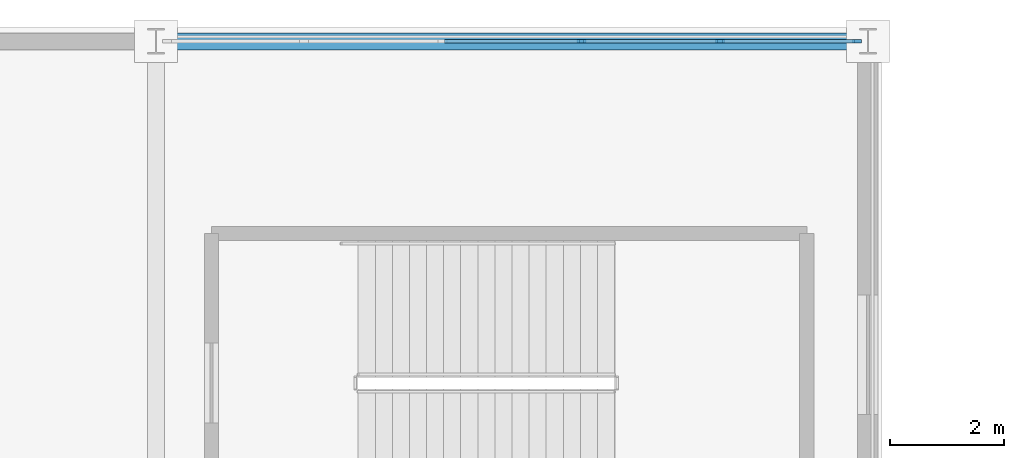
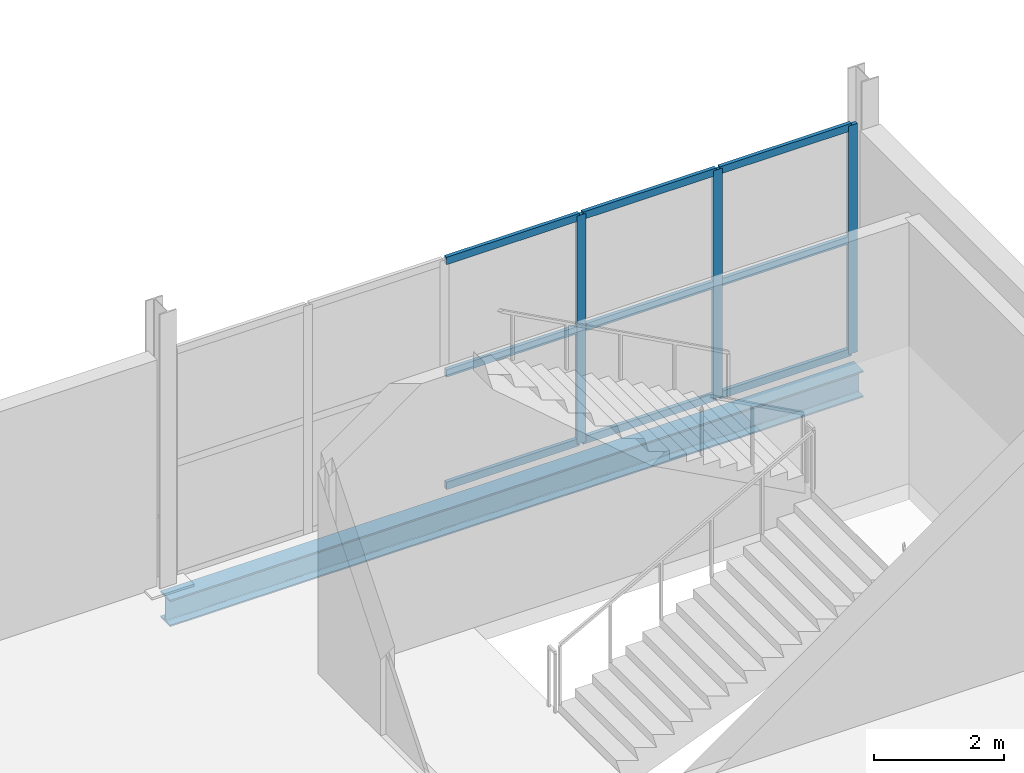
# One storey, part 87 of 178: 12 members, 1 beam, 1 element without a shape of its own.
"""IFC4 building model written with IfcOpenShell, lengths in metres."""

from ifc_helpers import new_model, si_unit, direction, frame, origin, origin_2d, place, context, subcontext, project, spatial, rectangle, i_section, extrude, material, material_profile, profile_set, type_object, element, aggregate, save


model = new_model("IFC4")

# Units and contexts
model_context = context("Model", 3, precision=1e-05, world=origin(), true_north=direction((0.0, 1.0)))
body_context = subcontext(model_context, "Body", "Model", "MODEL_VIEW")
ifc_project = project(units=[si_unit("LENGTHUNIT", "METRE"), si_unit("AREAUNIT", "SQUARE_METRE"), si_unit("VOLUMEUNIT", "CUBIC_METRE"), si_unit("PLANEANGLEUNIT", "RADIAN"), si_unit("MASSUNIT", "GRAM", prefix="KILO")], contexts=[model_context])

# Site, building, storey
site_placement = place(None, origin())
site = spatial("IfcSite", under=ifc_project, at=site_placement, CompositionType="ELEMENT")
building_placement = place(site_placement, origin())
building = spatial("IfcBuilding", under=site, at=building_placement, Name="Zlatoyarsky Gate Stadium", CompositionType="ELEMENT")
storey_placement = place(building_placement, frame((0.0, 0.0, 5.39990234375)))
storey = spatial("IfcBuildingStorey", under=building, at=storey_placement, Name="L01", CompositionType="ELEMENT", Elevation=5.39990234375)

# Curtain wall, members
ifc_material_1 = material(Name="Thermally broken anodised aluminium curtain wall", Category="aluminium")
curtain_wall_type = type_object("IfcCurtainWallType", Name="WINTER GARDEN CONSERVATORY GLAZING", PredefinedType="USERDEFINED", material=ifc_material_1)
curtain_wall_placement = place(storey_placement, origin())
curtain_wall = element("IfcCurtainWall", 1, at=curtain_wall_placement, inside=storey, type_object=curtain_wall_type, Name="Curtain wall CW-V2_NORTH-L01-148", ObjectType="UNITISED GLAZING", PredefinedType="USERDEFINED")
ifc_material_2 = material(Name="Anodised aluminium 6063-T6", Category="aluminium")
ifc_material_profile_1 = material_profile(ifc_material_2, rectangle(XDim=0.06494140625, YDim=0.159912109375, at=origin_2d()), Name="ALU 65X160")
ifc_profile_set_1 = profile_set([ifc_material_profile_1], Name="Anodised aluminium 6063-T6")
member_type_1 = type_object("IfcMemberType", Name="ALUMINIUM MULLION 65X160", PredefinedType="MULLION", material=ifc_profile_set_1)
member_1_placement = place(storey_placement, frame((154.967529296875, 160.0, 0.0), z_axis=(0.0, 0.0, 1.0), x_axis=(0.0, 1.0, 0.0)))
member_1 = element("IfcMember", 2, at=member_1_placement, type_object=member_type_1, Name="CW-WG1 mullion 4", PredefinedType="MULLION", context=body_context, shape_type="SweptSolid", body=[
    extrude(rectangle(XDim=0.06494140625, YDim=0.159912109375, at=origin_2d()), origin(), (0.0, 0.0, 1.0), 4.300048828125),
])
member_2_placement = place(storey_placement, frame((157.40283203125, 160.0, 0.0), z_axis=(0.0, 0.0, 1.0), x_axis=(0.0, 1.0, 0.0)))
member_2 = element("IfcMember", 3, at=member_2_placement, type_object=member_type_1, Name="CW-WG1 mullion 5", PredefinedType="MULLION", context=body_context, shape_type="SweptSolid", body=[
    extrude(rectangle(XDim=0.06494140625, YDim=0.159912109375, at=origin_2d()), origin(), (0.0, 0.0, 1.0), 4.300048828125),
])
member_3_placement = place(storey_placement, frame((159.805419921875, 160.0, 0.0), z_axis=(0.0, 0.0, 1.0), x_axis=(0.0, 1.0, 0.0)))
member_3 = element("IfcMember", 4, at=member_3_placement, type_object=member_type_1, Name="CW-WG1 mullion 6", PredefinedType="MULLION", context=body_context, shape_type="SweptSolid", body=[
    extrude(rectangle(XDim=0.06494140625, YDim=0.159912109375, at=origin_2d()), origin(), (0.0, 0.0, 1.0), 4.300048828125),
])
ifc_material_profile_2 = material_profile(ifc_material_2, rectangle(XDim=0.06494140625, YDim=0.139892578125, at=origin_2d()), Name="ALU 65X140")
ifc_profile_set_2 = profile_set([ifc_material_profile_2], Name="Anodised aluminium 6063-T6")
member_type_2 = type_object("IfcMemberType", Name="ALUMINIUM TRANSOM 65X140", PredefinedType="USERDEFINED", material=ifc_profile_set_2)
member_4_placement = place(storey_placement, frame((152.56494140625, 160.0, 0.03271484375), z_axis=(1.0, 0.0, 0.0), x_axis=(0.0, 1.0, 0.0)))
member_4 = element("IfcMember", 5, at=member_4_placement, type_object=member_type_2, Name="CW-WG1 transom 3.1", ObjectType="TRANSOM", PredefinedType="USERDEFINED", context=body_context, shape_type="SweptSolid", body=[
    extrude(rectangle(XDim=0.06494140625, YDim=0.139892578125, at=origin_2d()), origin(), (0.0, 0.0, 1.0), 2.3701171875),
])
member_5_placement = place(storey_placement, frame((152.56494140625, 160.0, 2.150146484375), z_axis=(1.0, 0.0, 0.0), x_axis=(0.0, 1.0, 0.0)))
member_5 = element("IfcMember", 6, at=member_5_placement, type_object=member_type_2, Name="CW-WG1 transom 3.2", ObjectType="TRANSOM", PredefinedType="USERDEFINED", context=body_context, shape_type="SweptSolid", body=[
    extrude(rectangle(XDim=0.06494140625, YDim=0.139892578125, at=origin_2d()), origin(), (0.0, 0.0, 1.0), 2.3701171875),
])
member_6_placement = place(storey_placement, frame((152.56494140625, 160.0, 4.267578125), z_axis=(1.0, 0.0, 0.0), x_axis=(0.0, 1.0, 0.0)))
member_6 = element("IfcMember", 7, at=member_6_placement, type_object=member_type_2, Name="CW-WG1 transom 3.3", ObjectType="TRANSOM", PredefinedType="USERDEFINED", context=body_context, shape_type="SweptSolid", body=[
    extrude(rectangle(XDim=0.06494140625, YDim=0.139892578125, at=origin_2d()), origin(), (0.0, 0.0, 1.0), 2.3701171875),
])
member_7_placement = place(storey_placement, frame((155.0, 160.0, 0.03271484375), z_axis=(1.0, 0.0, 0.0), x_axis=(0.0, 1.0, 0.0)))
member_7 = element("IfcMember", 8, at=member_7_placement, type_object=member_type_2, Name="CW-WG1 transom 4.1", ObjectType="TRANSOM", PredefinedType="USERDEFINED", context=body_context, shape_type="SweptSolid", body=[
    extrude(rectangle(XDim=0.06494140625, YDim=0.139892578125, at=origin_2d()), origin(), (0.0, 0.0, 1.0), 2.370361328125),
])
member_8_placement = place(storey_placement, frame((155.0, 160.0, 2.150146484375), z_axis=(1.0, 0.0, 0.0), x_axis=(0.0, 1.0, 0.0)))
member_8 = element("IfcMember", 9, at=member_8_placement, type_object=member_type_2, Name="CW-WG1 transom 4.2", ObjectType="TRANSOM", PredefinedType="USERDEFINED", context=body_context, shape_type="SweptSolid", body=[
    extrude(rectangle(XDim=0.06494140625, YDim=0.139892578125, at=origin_2d()), origin(), (0.0, 0.0, 1.0), 2.370361328125),
])
member_9_placement = place(storey_placement, frame((155.0, 160.0, 4.267578125), z_axis=(1.0, 0.0, 0.0), x_axis=(0.0, 1.0, 0.0)))
member_9 = element("IfcMember", 10, at=member_9_placement, type_object=member_type_2, Name="CW-WG1 transom 4.3", ObjectType="TRANSOM", PredefinedType="USERDEFINED", context=body_context, shape_type="SweptSolid", body=[
    extrude(rectangle(XDim=0.06494140625, YDim=0.139892578125, at=origin_2d()), origin(), (0.0, 0.0, 1.0), 2.370361328125),
])
member_10_placement = place(storey_placement, frame((157.435302734375, 160.0, 0.03271484375), z_axis=(1.0, 0.0, 0.0), x_axis=(0.0, 1.0, 0.0)))
member_10 = element("IfcMember", 11, at=member_10_placement, type_object=member_type_2, Name="CW-WG1 transom 5.1", ObjectType="TRANSOM", PredefinedType="USERDEFINED", context=body_context, shape_type="SweptSolid", body=[
    extrude(rectangle(XDim=0.06494140625, YDim=0.139892578125, at=origin_2d()), origin(), (0.0, 0.0, 1.0), 2.337646484375),
])
member_11_placement = place(storey_placement, frame((157.435302734375, 160.0, 2.150146484375), z_axis=(1.0, 0.0, 0.0), x_axis=(0.0, 1.0, 0.0)))
member_11 = element("IfcMember", 12, at=member_11_placement, type_object=member_type_2, Name="CW-WG1 transom 5.2", ObjectType="TRANSOM", PredefinedType="USERDEFINED", context=body_context, shape_type="SweptSolid", body=[
    extrude(rectangle(XDim=0.06494140625, YDim=0.139892578125, at=origin_2d()), origin(), (0.0, 0.0, 1.0), 2.337646484375),
])
member_12_placement = place(storey_placement, frame((157.435302734375, 160.0, 4.267578125), z_axis=(1.0, 0.0, 0.0), x_axis=(0.0, 1.0, 0.0)))
member_12 = element("IfcMember", 13, at=member_12_placement, type_object=member_type_2, Name="CW-WG1 transom 5.3", ObjectType="TRANSOM", PredefinedType="USERDEFINED", context=body_context, shape_type="SweptSolid", body=[
    extrude(rectangle(XDim=0.06494140625, YDim=0.139892578125, at=origin_2d()), origin(), (0.0, 0.0, 1.0), 2.337646484375),
])
aggregate(curtain_wall, [member_1, member_2, member_3, member_4, member_5, member_6, member_7, member_8, member_9, member_10, member_11, member_12])

# Beam
ifc_material_3 = material(Name="Steel S355", Category="steel")
ifc_material_profile_3 = material_profile(ifc_material_3, i_section(OverallWidth=0.300048828125, OverallDepth=0.5, WebThickness=0.014404296875, FlangeThickness=0.028076171875, FilletRadius=0.027099609375, at=origin_2d()), Name="HEB 500")
ifc_profile_set_3 = profile_set([ifc_material_profile_3], Name="Steel S355")
beam_type = type_object("IfcBeamType", Name="STEEL PRIMARY GIRDER HEB 500", PredefinedType="BEAM", material=ifc_profile_set_3)
beam_placement = place(storey_placement, frame((147.580078125, 160.0, -0.5498046875), z_axis=(1.0, 0.0, 0.0), x_axis=(0.0, 1.0, 0.0)))
element("IfcBeam", 14, at=beam_placement, inside=storey, type_object=beam_type, Name="Beam G-HEB500 BM-L01-WGX-13-Q", PredefinedType="BEAM", context=body_context, shape_type="SweptSolid", body=[
    extrude(i_section(OverallWidth=0.300048828125, OverallDepth=0.5, WebThickness=0.014404296875, FlangeThickness=0.028076171875, FilletRadius=0.027099609375, at=origin_2d()), origin(), (0.0, 0.0, 1.0), 12.33984375),
])

save(model, "model.ifc")
